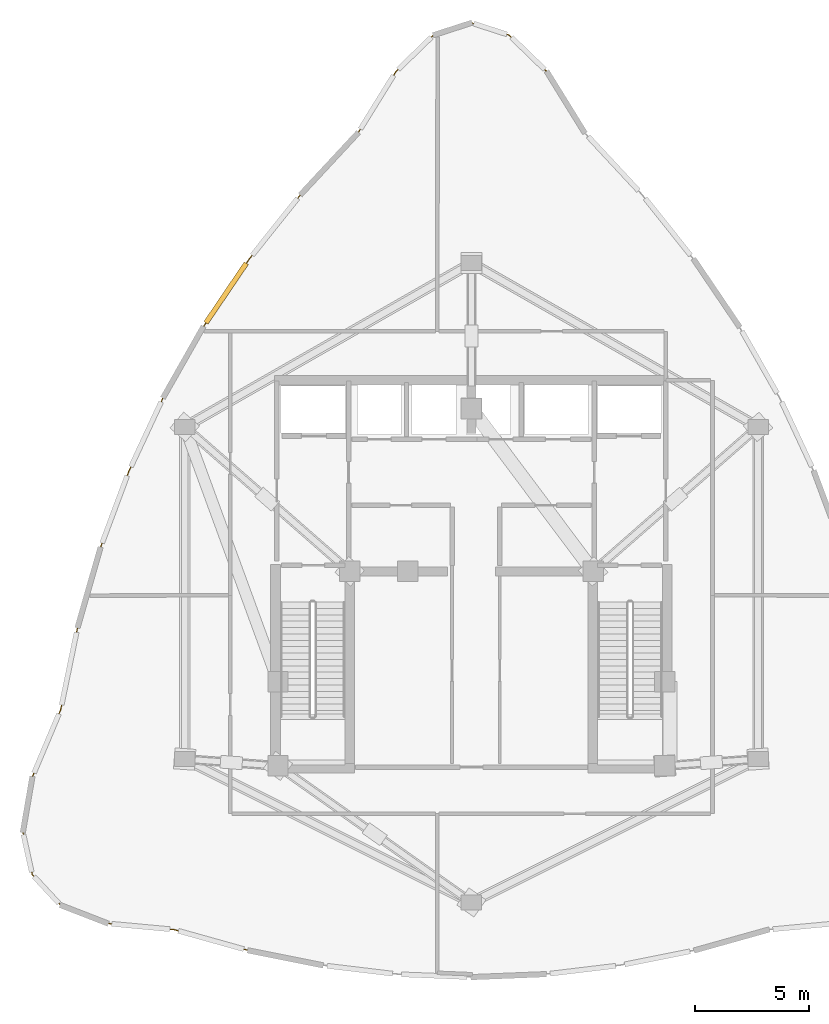
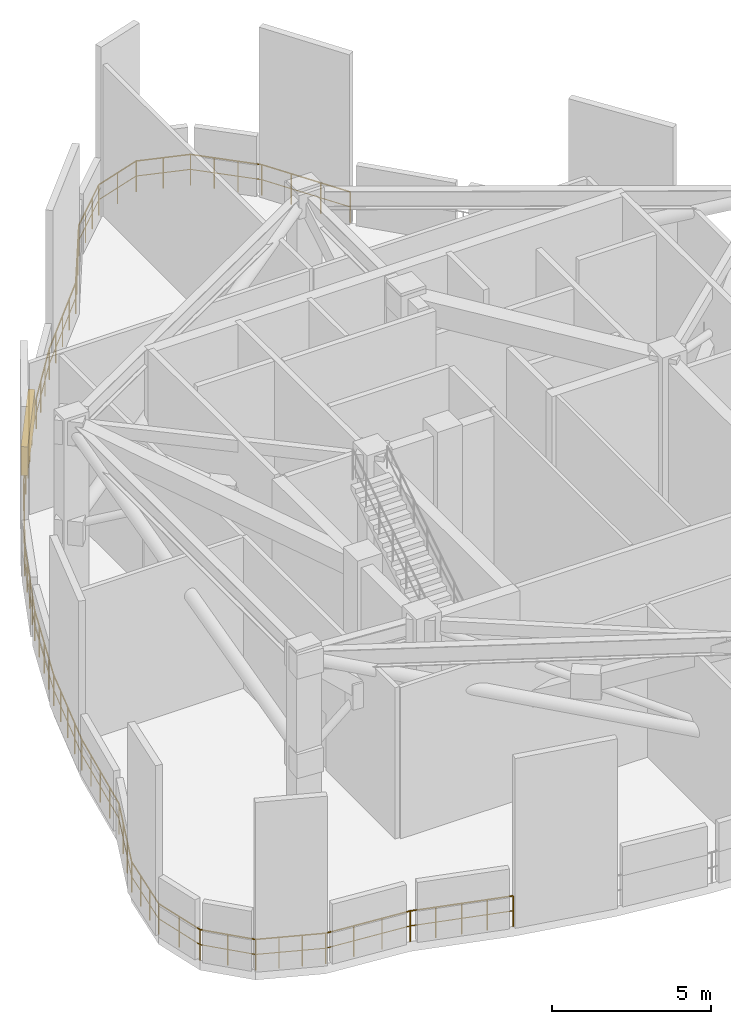
# One storey, part 6 of 8: 1 railing, 1 shading device.
"""IFC4 building model written with IfcOpenShell, lengths in metres."""

import ifcopenshell
import ifcopenshell.guid

model = None  # the IFC model being written
_history = None  # IfcOwnerHistory: only IFC2X3 demands one
_inside = {}  # id of a spatial element -> (the spatial element, [elements in it])
_under = {}  # id of a project, library or spatial element -> (it, [spatial elements below it])
_declared = {}  # id of a project -> (the project, [libraries it declares])
_typed = {}  # id of a type object -> (the type object, [elements of that type])
_made_of = {}  # id of a material, layer set ... -> (it, [elements and type objects made of it])


def new_model(schema):
    """Start an empty IFC model of exactly this schema.

    Asked for "IFC4X3", IfcOpenShell would pick the latest addendum, in which some entities
    have other attributes; the version numbers below select the first issue.
    IFC2X3 requires an IfcOwnerHistory on every rooted entity: one is made here for all.
    """
    global model, _history
    if schema == "IFC4X3":
        model = ifcopenshell.file(schema_version=(4, 3, 0, 0))
    else:
        model = ifcopenshell.file(schema=schema)
    _inside.clear()
    _under.clear()
    _declared.clear()
    _typed.clear()
    _made_of.clear()
    _history = None
    if model.schema == "IFC2X3":
        org = make("IfcOrganization", Name="unknown")
        user = make(
            "IfcPersonAndOrganization",
            ThePerson=make("IfcPerson", FamilyName="unknown"),
            TheOrganization=org,
        )
        app = make(
            "IfcApplication",
            ApplicationDeveloper=org,
            Version="unknown",
            ApplicationFullName="unknown",
            ApplicationIdentifier="unknown",
        )
        _history = make(
            "IfcOwnerHistory",
            OwningUser=user,
            OwningApplication=app,
            ChangeAction="ADDED",
            CreationDate=0,
        )
    return model


def make(cls, **values):
    """One entity of the class cls with the attributes given. An attribute that is None is left unset."""
    return model.create_entity(
        cls, **{name: value for name, value in values.items() if value is not None}
    )


def rooted(cls, **values):
    """An entity with a GlobalId (a new one), such as an element, a storey or a relation."""
    return make(cls, GlobalId=ifcopenshell.guid.new(), OwnerHistory=_history, **values)


def si_unit(unit_type, name, prefix=None):
    """IfcSIUnit, for example si_unit("LENGTHUNIT", "METRE", prefix="MILLI")."""
    return make("IfcSIUnit", UnitType=unit_type, Prefix=prefix, Name=name)


def assignment(units):
    """IfcUnitAssignment: the units of a project."""
    return None if units is None else make("IfcUnitAssignment", Units=units)


def point(xyz):
    """IfcCartesianPoint."""
    return None if xyz is None else make("IfcCartesianPoint", Coordinates=xyz)


def direction(xyz):
    """IfcDirection."""
    return None if xyz is None else make("IfcDirection", DirectionRatios=xyz)


def frame(location, z_axis=None, x_axis=None):
    """IfcAxis2Placement3D, a coordinate frame: its origin and axes. An axis left out is left unset."""
    return make(
        "IfcAxis2Placement3D",
        Location=point(location),
        Axis=direction(z_axis),
        RefDirection=direction(x_axis),
    )


def frame_2d(location, x_axis=None):
    """IfcAxis2Placement2D, a coordinate frame in the plane: its origin and x axis."""
    return make(
        "IfcAxis2Placement2D", Location=point(location), RefDirection=direction(x_axis)
    )


def origin():
    """The frame at (0, 0, 0) with its axes left unset."""
    return frame((0.0, 0.0, 0.0))


def origin_2d():
    """The frame at (0, 0) in the plane with its x axis left unset."""
    return frame_2d((0.0, 0.0))


def place(relative_to, where):
    """IfcLocalPlacement: puts the frame where relative to a parent placement (None: the world)."""
    return make(
        "IfcLocalPlacement", PlacementRelTo=relative_to, RelativePlacement=where
    )


def context(
    kind, dimensions, precision=None, world=None, true_north=None, identifier=None
):
    """IfcGeometricRepresentationContext, for example the 3D "Model" context."""
    return make(
        "IfcGeometricRepresentationContext",
        ContextIdentifier=identifier,
        ContextType=kind,
        CoordinateSpaceDimension=dimensions,
        Precision=precision,
        WorldCoordinateSystem=world,
        TrueNorth=true_north,
    )


def subcontext(parent, identifier, kind, view, scale=None):
    """IfcGeometricRepresentationSubContext, for example "Body" below "Model"."""
    return make(
        "IfcGeometricRepresentationSubContext",
        ContextIdentifier=identifier,
        ContextType=kind,
        ParentContext=parent,
        TargetScale=scale,
        TargetView=view,
    )


def project(units=None, contexts=None):
    """IfcProject with its units and contexts."""
    return rooted(
        "IfcProject",
        Name="project",
        RepresentationContexts=contexts,
        UnitsInContext=assignment(units),
    )


def spatial(cls, under=None, at=None, **own):
    """A site, building, storey or space (cls), placed at a placement, below another one or the project."""
    s = rooted(cls, ObjectPlacement=at, **own)
    if under is not None:
        _under.setdefault(under.id(), (under, []))[1].append(s)
    return s


def profile(cls, at=None, kind="AREA", **sizes):
    """A parametric profile (cls). Its sizes go by their IFC names, for example OverallWidth=200.0."""
    return make(cls, ProfileType=kind, Position=at, **sizes)


def rectangle(**sizes):
    """IfcRectangleProfileDef."""
    return profile("IfcRectangleProfileDef", **sizes)


def circle(**sizes):
    """IfcCircleProfileDef."""
    return profile("IfcCircleProfileDef", **sizes)


def extrude(swept, where, along, depth):
    """IfcExtrudedAreaSolid: the profile swept, set in the frame where, extruded along a direction by depth."""
    return make(
        "IfcExtrudedAreaSolid",
        SweptArea=swept,
        Position=where,
        ExtrudedDirection=direction(along),
        Depth=depth,
    )


def shape(context_of_items, identifier, shape_type, items):
    """IfcShapeRepresentation: the items that make up one representation, for example the "Body"."""
    return make(
        "IfcShapeRepresentation",
        ContextOfItems=context_of_items,
        RepresentationIdentifier=identifier,
        RepresentationType=shape_type,
        Items=items,
    )


def material(Name=None, Category=None):
    """IfcMaterial."""
    return make("IfcMaterial", Name=Name, Category=Category)


def made_of(thing, what):
    """Note that an element or type object is made of a material, layer set ...; save() writes the relation."""
    if what is not None:
        _made_of.setdefault(what.id(), (what, []))[1].append(thing)
    return thing


def type_object(cls, material=None, **own):
    """A type object (cls), such as IfcWallType, which elements share."""
    return made_of(rooted(cls, **own), material)


def element(
    cls,
    number,
    at=None,
    inside=None,
    cuts=None,
    type_object=None,
    material=None,
    context=None,
    identifier="Body",
    shape_type=None,
    held_by="IfcProductDefinitionShape",
    body=None,
    shapes=None,
    **own,
):
    """One element of the class cls, such as IfcWall. Its Tag is "e" and its number.

    at: its placement. inside: the storey or other place that contains it. cuts: it is an
    opening in that element (IfcRelVoidsElement). A single representation is given by context,
    identifier, shape_type and body (its items); several are given by shapes. held_by: the class
    of the entity that holds the representations. save() writes the other relations.
    """
    e = rooted(cls, Tag="e%d" % number, ObjectPlacement=at, **own)
    if body is not None:
        shapes = [shape(context, identifier, shape_type, body)]
    if shapes is not None:
        e.Representation = make(held_by, Representations=shapes)
    if inside is not None:
        _inside.setdefault(inside.id(), (inside, []))[1].append(e)
    if cuts is not None:
        rooted(
            "IfcRelVoidsElement", RelatingBuildingElement=cuts, RelatedOpeningElement=e
        )
    if type_object is not None:
        _typed.setdefault(type_object.id(), (type_object, []))[1].append(e)
    return made_of(e, material)


def aggregate(whole, parts):
    """IfcRelAggregates: a whole, such as a stair, and the parts it consists of."""
    return rooted("IfcRelAggregates", RelatingObject=whole, RelatedObjects=parts)


def save(model, path):
    """Write the relations noted so far, then the file.

    IfcRelAggregates (storeys below a building ...), IfcRelContainedInSpatialStructure (elements
    in a storey), IfcRelDefinesByType, IfcRelAssociatesMaterial and IfcRelDeclares: one each for
    every whole, place, type object, material and project.
    """
    for whole, parts in _under.values():
        aggregate(whole, parts)
    for where, things in _inside.values():
        rooted(
            "IfcRelContainedInSpatialStructure",
            RelatedElements=things,
            RelatingStructure=where,
        )
    for kind, things in _typed.values():
        rooted("IfcRelDefinesByType", RelatedObjects=things, RelatingType=kind)
    for what, things in _made_of.values():
        rooted("IfcRelAssociatesMaterial", RelatedObjects=things, RelatingMaterial=what)
    for by, libraries in _declared.values():
        rooted("IfcRelDeclares", RelatingContext=by, RelatedDefinitions=libraries)
    model.write(path)


model = new_model("IFC4")

# Units and contexts
model_context = context("Model", 3, precision=1e-05, world=origin(), true_north=direction((0.0, 1.0)))
body_context = subcontext(model_context, "Body", "Model", "MODEL_VIEW")
ifc_project = project(units=[si_unit("LENGTHUNIT", "METRE"), si_unit("AREAUNIT", "SQUARE_METRE"), si_unit("VOLUMEUNIT", "CUBIC_METRE"), si_unit("PLANEANGLEUNIT", "RADIAN"), si_unit("MASSUNIT", "GRAM", prefix="KILO")], contexts=[model_context])

# Site, building, storey
site_placement = place(None, origin())
site = spatial("IfcSite", under=ifc_project, at=site_placement, CompositionType="ELEMENT")
building_placement = place(site_placement, origin())
building = spatial("IfcBuilding", under=site, at=building_placement, Name="Miruveldt Soraemaru", CompositionType="ELEMENT")
storey_placement = place(building_placement, frame((0.0, 0.0, 282.800048828125)))
storey = spatial("IfcBuildingStorey", under=building, at=storey_placement, Name="L77", CompositionType="ELEMENT", Elevation=282.800048828125)

# Railing
ifc_material = material(Name="Anodised aluminium EN AW-6063 T6", Category="aluminium")
railing_type = type_object("IfcRailingType", Name="RAIL-GUARD-1200", PredefinedType="GUARDRAIL", material=ifc_material)
railing_placement = place(storey_placement, frame((48.98046875, 63.33056640625, 0.0)))
element("IfcRailing", 1, at=railing_placement, inside=storey, type_object=railing_type, Name="L77 Wind-Turbine Slot Perimeter Guardrail (A)", PredefinedType="GUARDRAIL", context=body_context, shape_type="SweptSolid", body=[
    extrude(circle(Radius=0.02392578125, at=origin_2d()), frame((0.0, 0.0, 1.17578125), z_axis=(-0.52609889762, 0.850423394506, 0.0), x_axis=(-0.850423394506, -0.52609889762, 0.0)), (0.0, 0.0, 1.0), 3.155517578125),
    extrude(circle(Radius=0.01611328125, at=origin_2d()), frame((0.0, 0.0, 0.60009765625), z_axis=(-0.52609889762, 0.850423394506, 0.0), x_axis=(-0.850423394506, -0.52609889762, 0.0)), (0.0, 0.0, 1.0), 3.155517578125),
    extrude(circle(Radius=0.02392578125, at=origin_2d()), frame((-1.66015625, 2.68359375, 1.17578125), z_axis=(-0.717791679854, 0.696257929458, 0.0), x_axis=(-0.696257929458, -0.717791679854, 0.0)), (0.0, 0.0, 1.0), 2.31298828125),
    extrude(circle(Radius=0.01611328125, at=origin_2d()), frame((-1.66015625, 2.68359375, 0.60009765625), z_axis=(-0.717791679854, 0.696257929458, 0.0), x_axis=(-0.696257929458, -0.717791679854, 0.0)), (0.0, 0.0, 1.0), 2.31298828125),
    extrude(circle(Radius=0.02392578125, at=origin_2d()), frame((-3.3203125, 4.2939453125, 1.17578125), z_axis=(-0.951526448732, 0.307566931517, 0.0), x_axis=(-0.307566931517, -0.951526448732, 0.0)), (0.0, 0.0, 1.0), 1.74462890625),
    extrude(circle(Radius=0.01611328125, at=origin_2d()), frame((-3.3203125, 4.2939453125, 0.60009765625), z_axis=(-0.951526448732, 0.307566931517, 0.0), x_axis=(-0.307566931517, -0.951526448732, 0.0)), (0.0, 0.0, 1.0), 1.74462890625),
    extrude(circle(Radius=0.02392578125, at=origin_2d()), frame((-4.98046875, 4.83056640625, 1.17578125), z_axis=(-0.951526448732, -0.307566931517, 0.0), x_axis=(0.307566931517, -0.951526448732, 0.0)), (0.0, 0.0, 1.0), 1.74462890625),
    extrude(circle(Radius=0.01611328125, at=origin_2d()), frame((-4.98046875, 4.83056640625, 0.60009765625), z_axis=(-0.951526448732, -0.307566931517, 0.0), x_axis=(0.307566931517, -0.951526448732, 0.0)), (0.0, 0.0, 1.0), 1.74462890625),
    extrude(circle(Radius=0.02392578125, at=origin_2d()), frame((-6.640625, 4.2939453125, 1.17578125), z_axis=(-0.717791679854, -0.696257929458, 0.0), x_axis=(0.696257929458, -0.717791679854, 0.0)), (0.0, 0.0, 1.0), 2.31298828125),
    extrude(circle(Radius=0.01611328125, at=origin_2d()), frame((-6.640625, 4.2939453125, 0.60009765625), z_axis=(-0.717791679854, -0.696257929458, 0.0), x_axis=(0.696257929458, -0.717791679854, 0.0)), (0.0, 0.0, 1.0), 2.31298828125),
    extrude(circle(Radius=0.02392578125, at=origin_2d()), frame((-8.30078125, 2.68359375, 1.17578125), z_axis=(-0.52609889762, -0.850423394506, 0.0), x_axis=(0.850423394506, -0.52609889762, 0.0)), (0.0, 0.0, 1.0), 3.155517578125),
    extrude(circle(Radius=0.01611328125, at=origin_2d()), frame((-8.30078125, 2.68359375, 0.60009765625), z_axis=(-0.52609889762, -0.850423394506, 0.0), x_axis=(0.850423394506, -0.52609889762, 0.0)), (0.0, 0.0, 1.0), 3.155517578125),
    extrude(circle(Radius=0.02392578125, at=origin_2d()), frame((-9.9609375, 0.0, 1.17578125), z_axis=(-0.680868088703, -0.732406066185, 0.0), x_axis=(0.732406066185, -0.680868088703, 0.0)), (0.0, 0.0, 1.0), 3.704345703125),
    extrude(circle(Radius=0.01611328125, at=origin_2d()), frame((-9.9609375, 0.0, 0.60009765625), z_axis=(-0.680868088703, -0.732406066185, 0.0), x_axis=(0.732406066185, -0.680868088703, 0.0)), (0.0, 0.0, 1.0), 3.704345703125),
    extrude(circle(Radius=0.02392578125, at=origin_2d()), frame((-12.483154296875, -2.713134765625, 1.17578125), z_axis=(-0.623614093893, -0.781732346714, 0.0), x_axis=(0.781732346714, -0.623614093893, 0.0)), (0.0, 0.0, 1.0), 3.6376953125),
    extrude(circle(Radius=0.01611328125, at=origin_2d()), frame((-12.483154296875, -2.713134765625, 0.60009765625), z_axis=(-0.623614093893, -0.781732346714, 0.0), x_axis=(0.781732346714, -0.623614093893, 0.0)), (0.0, 0.0, 1.0), 3.6376953125),
    extrude(circle(Radius=0.02392578125, at=origin_2d()), frame((-14.751708984375, -5.556884765625, 1.17578125), z_axis=(-0.56084814517, -0.827918690488, 0.0), x_axis=(0.827918690488, -0.56084814517, 0.0)), (0.0, 0.0, 1.0), 3.592529296875),
    extrude(circle(Radius=0.01611328125, at=origin_2d()), frame((-14.751708984375, -5.556884765625, 0.60009765625), z_axis=(-0.56084814517, -0.827918690488, 0.0), x_axis=(0.827918690488, -0.56084814517, 0.0)), (0.0, 0.0, 1.0), 3.592529296875),
    extrude(circle(Radius=0.02392578125, at=origin_2d()), frame((-16.7666015625, -8.53125, 1.17578125), z_axis=(-0.493352462232, -0.869829493642, 0.0), x_axis=(0.869829493642, -0.493352462232, 0.0)), (0.0, 0.0, 1.0), 3.56982421875),
    extrude(circle(Radius=0.01611328125, at=origin_2d()), frame((-16.7666015625, -8.53125, 0.60009765625), z_axis=(-0.493352462232, -0.869829493642, 0.0), x_axis=(0.869829493642, -0.493352462232, 0.0)), (0.0, 0.0, 1.0), 3.56982421875),
    extrude(circle(Radius=0.02392578125, at=origin_2d()), frame((-18.52783203125, -11.636474609375, 1.17578125), z_axis=(-0.422286367485, -0.906462477898, 0.0), x_axis=(0.906462477898, -0.422286367485, 0.0)), (0.0, 0.0, 1.0), 3.570068359375),
    extrude(circle(Radius=0.01611328125, at=origin_2d()), frame((-18.52783203125, -11.636474609375, 0.60009765625), z_axis=(-0.422286367485, -0.906462477898, 0.0), x_axis=(0.906462477898, -0.422286367485, 0.0)), (0.0, 0.0, 1.0), 3.570068359375),
    extrude(circle(Radius=0.02392578125, at=origin_2d()), frame((-20.035400390625, -14.87255859375, 1.17578125), z_axis=(-0.349022436182, -0.937114368176, 0.0), x_axis=(0.937114368176, -0.349022436182, 0.0)), (0.0, 0.0, 1.0), 3.592529296875),
    extrude(circle(Radius=0.01611328125, at=origin_2d()), frame((-20.035400390625, -14.87255859375, 0.60009765625), z_axis=(-0.349022436182, -0.937114368176, 0.0), x_axis=(0.937114368176, -0.349022436182, 0.0)), (0.0, 0.0, 1.0), 3.592529296875),
    extrude(circle(Radius=0.02392578125, at=origin_2d()), frame((-21.289306640625, -18.2392578125, 1.17578125), z_axis=(-0.274960445559, -0.96145553895, 0.0), x_axis=(0.96145553895, -0.274960445559, 0.0)), (0.0, 0.0, 1.0), 3.6376953125),
    extrude(circle(Radius=0.01611328125, at=origin_2d()), frame((-21.289306640625, -18.2392578125, 0.60009765625), z_axis=(-0.274960445559, -0.96145553895, 0.0), x_axis=(0.96145553895, -0.274960445559, 0.0)), (0.0, 0.0, 1.0), 3.6376953125),
    extrude(circle(Radius=0.02392578125, at=origin_2d()), frame((-22.28955078125, -21.73681640625, 1.17578125), z_axis=(-0.201613867718, -0.979465082759, 0.0), x_axis=(0.979465082759, -0.201613867718, 0.0)), (0.0, 0.0, 1.0), 3.704345703125),
    extrude(circle(Radius=0.01611328125, at=origin_2d()), frame((-22.28955078125, -21.73681640625, 0.60009765625), z_axis=(-0.201613867718, -0.979465082759, 0.0), x_axis=(0.979465082759, -0.201613867718, 0.0)), (0.0, 0.0, 1.0), 3.704345703125),
    extrude(circle(Radius=0.02392578125, at=origin_2d()), frame((-23.036376953125, -25.364990234375, 1.17578125), z_axis=(-0.388550908653, -0.921427257783, 0.0), x_axis=(0.921427257783, -0.388550908653, 0.0)), (0.0, 0.0, 1.0), 3.203857421875),
    extrude(circle(Radius=0.01611328125, at=origin_2d()), frame((-23.036376953125, -25.364990234375, 0.60009765625), z_axis=(-0.388550908653, -0.921427257783, 0.0), x_axis=(0.921427257783, -0.388550908653, 0.0)), (0.0, 0.0, 1.0), 3.203857421875),
    extrude(circle(Radius=0.02392578125, at=origin_2d()), frame((-24.28125, -28.317138671875, 1.17578125), z_axis=(-0.169436567839, -0.985541094769, 0.0), x_axis=(0.985541094769, -0.169436567839, 0.0)), (0.0, 0.0, 1.0), 2.450927734375),
    extrude(circle(Radius=0.01611328125, at=origin_2d()), frame((-24.28125, -28.317138671875, 0.60009765625), z_axis=(-0.169436567839, -0.985541094769, 0.0), x_axis=(0.985541094769, -0.169436567839, 0.0)), (0.0, 0.0, 1.0), 2.450927734375),
    extrude(circle(Radius=0.02392578125, at=origin_2d()), frame((-24.696533203125, -30.732666015625, 1.17578125), z_axis=(0.215868789912, -0.976422380705, 0.0), x_axis=(0.976422380705, 0.215868789912, 0.0)), (0.0, 0.0, 1.0), 1.923828125),
    extrude(circle(Radius=0.01611328125, at=origin_2d()), frame((-24.696533203125, -30.732666015625, 0.60009765625), z_axis=(0.215868789912, -0.976422380705, 0.0), x_axis=(0.976422380705, 0.215868789912, 0.0)), (0.0, 0.0, 1.0), 1.923828125),
    extrude(circle(Radius=0.02392578125, at=origin_2d()), frame((-24.28125, -32.611083984375, 1.17578125), z_axis=(0.680067331247, -0.733149660691, 0.0), x_axis=(0.733149660691, 0.680067331247, 0.0)), (0.0, 0.0, 1.0), 1.83056640625),
    extrude(circle(Radius=0.01611328125, at=origin_2d()), frame((-24.28125, -32.611083984375, 0.60009765625), z_axis=(0.680067331247, -0.733149660691, 0.0), x_axis=(0.733149660691, 0.680067331247, 0.0)), (0.0, 0.0, 1.0), 1.83056640625),
    extrude(circle(Radius=0.02392578125, at=origin_2d()), frame((-23.036376953125, -33.953125, 1.17578125), z_axis=(0.932321313147, -0.361630984641, 0.0), x_axis=(0.361630984641, 0.932321313147, 0.0)), (0.0, 0.0, 1.0), 2.225830078125),
    extrude(circle(Radius=0.01611328125, at=origin_2d()), frame((-23.036376953125, -33.953125, 0.60009765625), z_axis=(0.932321313147, -0.361630984641, 0.0), x_axis=(0.361630984641, 0.932321313147, 0.0)), (0.0, 0.0, 1.0), 2.225830078125),
    extrude(circle(Radius=0.02392578125, at=origin_2d()), frame((-20.961181640625, -34.758056640625, 1.17578125), z_axis=(0.995754888126, -0.092044569491, 0.0), x_axis=(0.092044569491, 0.995754888126, 0.0)), (0.0, 0.0, 1.0), 2.917724609375),
    extrude(circle(Radius=0.01611328125, at=origin_2d()), frame((-20.961181640625, -34.758056640625, 0.60009765625), z_axis=(0.995754888126, -0.092044569491, 0.0), x_axis=(0.092044569491, 0.995754888126, 0.0)), (0.0, 0.0, 1.0), 2.917724609375),
    extrude(circle(Radius=0.02392578125, at=origin_2d()), frame((-18.055908203125, -35.026611328125, 1.17578125), z_axis=(0.962967056744, -0.269619078748, 0.0), x_axis=(0.269619078748, 0.962967056744, 0.0)), (0.0, 0.0, 1.0), 3.339599609375),
    extrude(circle(Radius=0.01611328125, at=origin_2d()), frame((-18.055908203125, -35.026611328125, 0.60009765625), z_axis=(0.962967056744, -0.269619078748, 0.0), x_axis=(0.269619078748, 0.962967056744, 0.0)), (0.0, 0.0, 1.0), 3.339599609375),
    extrude(circle(Radius=0.02099609375, at=origin_2d()), origin(), (0.0, 0.0, 1.0), 1.15185546875),
    extrude(circle(Radius=0.02099609375, at=origin_2d()), frame((-0.553466796875, 0.89453125, 0.0)), (0.0, 0.0, 1.0), 1.15185546875),
    extrude(circle(Radius=0.02099609375, at=origin_2d()), frame((-1.106689453125, 1.7890625, 0.0)), (0.0, 0.0, 1.0), 1.15185546875),
    extrude(circle(Radius=0.02099609375, at=origin_2d()), frame((-1.66015625, 2.68359375, 0.0)), (0.0, 0.0, 1.0), 1.15185546875),
    extrude(circle(Radius=0.02099609375, at=origin_2d()), frame((-2.213623046875, 3.220458984375, 0.0)), (0.0, 0.0, 1.0), 1.15185546875),
    extrude(circle(Radius=0.02099609375, at=origin_2d()), frame((-2.766845703125, 3.757080078125, 0.0)), (0.0, 0.0, 1.0), 1.15185546875),
    extrude(circle(Radius=0.02099609375, at=origin_2d()), frame((-3.3203125, 4.2939453125, 0.0)), (0.0, 0.0, 1.0), 1.15185546875),
    extrude(circle(Radius=0.02099609375, at=origin_2d()), frame((-4.150390625, 4.562255859375, 0.0)), (0.0, 0.0, 1.0), 1.15185546875),
    extrude(circle(Radius=0.02099609375, at=origin_2d()), frame((-4.98046875, 4.83056640625, 0.0)), (0.0, 0.0, 1.0), 1.15185546875),
    extrude(circle(Radius=0.02099609375, at=origin_2d()), frame((-5.810546875, 4.562255859375, 0.0)), (0.0, 0.0, 1.0), 1.15185546875),
    extrude(circle(Radius=0.02099609375, at=origin_2d()), frame((-6.640625, 4.2939453125, 0.0)), (0.0, 0.0, 1.0), 1.15185546875),
    extrude(circle(Radius=0.02099609375, at=origin_2d()), frame((-7.194091796875, 3.757080078125, 0.0)), (0.0, 0.0, 1.0), 1.15185546875),
    extrude(circle(Radius=0.02099609375, at=origin_2d()), frame((-7.747314453125, 3.220458984375, 0.0)), (0.0, 0.0, 1.0), 1.15185546875),
    extrude(circle(Radius=0.02099609375, at=origin_2d()), frame((-8.30078125, 2.68359375, 0.0)), (0.0, 0.0, 1.0), 1.15185546875),
    extrude(circle(Radius=0.02099609375, at=origin_2d()), frame((-8.854248046875, 1.7890625, 0.0)), (0.0, 0.0, 1.0), 1.15185546875),
    extrude(circle(Radius=0.02099609375, at=origin_2d()), frame((-9.407470703125, 0.89453125, 0.0)), (0.0, 0.0, 1.0), 1.15185546875),
    extrude(circle(Radius=0.02099609375, at=origin_2d()), frame((-9.9609375, 0.0, 0.0)), (0.0, 0.0, 1.0), 1.15185546875),
    extrude(circle(Radius=0.02099609375, at=origin_2d()), frame((-10.591552734375, -0.67822265625, 0.0)), (0.0, 0.0, 1.0), 1.15185546875),
    extrude(circle(Radius=0.02099609375, at=origin_2d()), frame((-11.22216796875, -1.3564453125, 0.0)), (0.0, 0.0, 1.0), 1.15185546875),
    extrude(circle(Radius=0.02099609375, at=origin_2d()), frame((-11.8525390625, -2.034912109375, 0.0)), (0.0, 0.0, 1.0), 1.15185546875),
    extrude(circle(Radius=0.02099609375, at=origin_2d()), frame((-12.483154296875, -2.713134765625, 0.0)), (0.0, 0.0, 1.0), 1.15185546875),
    extrude(circle(Radius=0.02099609375, at=origin_2d()), frame((-13.05029296875, -3.424072265625, 0.0)), (0.0, 0.0, 1.0), 1.15185546875),
    extrude(circle(Radius=0.02099609375, at=origin_2d()), frame((-13.617431640625, -4.135009765625, 0.0)), (0.0, 0.0, 1.0), 1.15185546875),
    extrude(circle(Radius=0.02099609375, at=origin_2d()), frame((-14.1845703125, -4.845947265625, 0.0)), (0.0, 0.0, 1.0), 1.15185546875),
    extrude(circle(Radius=0.02099609375, at=origin_2d()), frame((-14.751708984375, -5.556884765625, 0.0)), (0.0, 0.0, 1.0), 1.15185546875),
    extrude(circle(Radius=0.02099609375, at=origin_2d()), frame((-15.25537109375, -6.300537109375, 0.0)), (0.0, 0.0, 1.0), 1.15185546875),
    extrude(circle(Radius=0.02099609375, at=origin_2d()), frame((-15.75927734375, -7.0439453125, 0.0)), (0.0, 0.0, 1.0), 1.15185546875),
    extrude(circle(Radius=0.02099609375, at=origin_2d()), frame((-16.262939453125, -7.78759765625, 0.0)), (0.0, 0.0, 1.0), 1.15185546875),
    extrude(circle(Radius=0.02099609375, at=origin_2d()), frame((-16.7666015625, -8.53125, 0.0)), (0.0, 0.0, 1.0), 1.15185546875),
    extrude(circle(Radius=0.02099609375, at=origin_2d()), frame((-17.20703125, -9.3076171875, 0.0)), (0.0, 0.0, 1.0), 1.15185546875),
    extrude(circle(Radius=0.02099609375, at=origin_2d()), frame((-17.647216796875, -10.083984375, 0.0)), (0.0, 0.0, 1.0), 1.15185546875),
    extrude(circle(Radius=0.02099609375, at=origin_2d()), frame((-18.08740234375, -10.860107421875, 0.0)), (0.0, 0.0, 1.0), 1.15185546875),
    extrude(circle(Radius=0.02099609375, at=origin_2d()), frame((-18.52783203125, -11.636474609375, 0.0)), (0.0, 0.0, 1.0), 1.15185546875),
    extrude(circle(Radius=0.02099609375, at=origin_2d()), frame((-18.90478515625, -12.445556640625, 0.0)), (0.0, 0.0, 1.0), 1.15185546875),
    extrude(circle(Radius=0.02099609375, at=origin_2d()), frame((-19.28173828125, -13.25439453125, 0.0)), (0.0, 0.0, 1.0), 1.15185546875),
    extrude(circle(Radius=0.02099609375, at=origin_2d()), frame((-19.658447265625, -14.0634765625, 0.0)), (0.0, 0.0, 1.0), 1.15185546875),
    extrude(circle(Radius=0.02099609375, at=origin_2d()), frame((-20.035400390625, -14.87255859375, 0.0)), (0.0, 0.0, 1.0), 1.15185546875),
    extrude(circle(Radius=0.02099609375, at=origin_2d()), frame((-20.348876953125, -15.71435546875, 0.0)), (0.0, 0.0, 1.0), 1.15185546875),
    extrude(circle(Radius=0.02099609375, at=origin_2d()), frame((-20.662353515625, -16.555908203125, 0.0)), (0.0, 0.0, 1.0), 1.15185546875),
    extrude(circle(Radius=0.02099609375, at=origin_2d()), frame((-20.975830078125, -17.3974609375, 0.0)), (0.0, 0.0, 1.0), 1.15185546875),
    extrude(circle(Radius=0.02099609375, at=origin_2d()), frame((-21.289306640625, -18.2392578125, 0.0)), (0.0, 0.0, 1.0), 1.15185546875),
    extrude(circle(Radius=0.02099609375, at=origin_2d()), frame((-21.539306640625, -19.11376953125, 0.0)), (0.0, 0.0, 1.0), 1.15185546875),
    extrude(circle(Radius=0.02099609375, at=origin_2d()), frame((-21.78955078125, -19.988037109375, 0.0)), (0.0, 0.0, 1.0), 1.15185546875),
    extrude(circle(Radius=0.02099609375, at=origin_2d()), frame((-22.03955078125, -20.8623046875, 0.0)), (0.0, 0.0, 1.0), 1.15185546875),
    extrude(circle(Radius=0.02099609375, at=origin_2d()), frame((-22.28955078125, -21.73681640625, 0.0)), (0.0, 0.0, 1.0), 1.15185546875),
    extrude(circle(Radius=0.02099609375, at=origin_2d()), frame((-22.476318359375, -22.643798828125, 0.0)), (0.0, 0.0, 1.0), 1.15185546875),
    extrude(circle(Radius=0.02099609375, at=origin_2d()), frame((-22.6630859375, -23.55078125, 0.0)), (0.0, 0.0, 1.0), 1.15185546875),
    extrude(circle(Radius=0.02099609375, at=origin_2d()), frame((-22.849609375, -24.4580078125, 0.0)), (0.0, 0.0, 1.0), 1.15185546875),
    extrude(circle(Radius=0.02099609375, at=origin_2d()), frame((-23.036376953125, -25.364990234375, 0.0)), (0.0, 0.0, 1.0), 1.15185546875),
    extrude(circle(Radius=0.02099609375, at=origin_2d()), frame((-23.451416015625, -26.34912109375, 0.0)), (0.0, 0.0, 1.0), 1.15185546875),
    extrude(circle(Radius=0.02099609375, at=origin_2d()), frame((-23.8662109375, -27.3330078125, 0.0)), (0.0, 0.0, 1.0), 1.15185546875),
    extrude(circle(Radius=0.02099609375, at=origin_2d()), frame((-24.28125, -28.317138671875, 0.0)), (0.0, 0.0, 1.0), 1.15185546875),
    extrude(circle(Radius=0.02099609375, at=origin_2d()), frame((-24.419677734375, -29.122314453125, 0.0)), (0.0, 0.0, 1.0), 1.15185546875),
    extrude(circle(Radius=0.02099609375, at=origin_2d()), frame((-24.55810546875, -29.927490234375, 0.0)), (0.0, 0.0, 1.0), 1.15185546875),
    extrude(circle(Radius=0.02099609375, at=origin_2d()), frame((-24.696533203125, -30.732666015625, 0.0)), (0.0, 0.0, 1.0), 1.15185546875),
    extrude(circle(Radius=0.02099609375, at=origin_2d()), frame((-24.48876953125, -31.671875, 0.0)), (0.0, 0.0, 1.0), 1.15185546875),
    extrude(circle(Radius=0.02099609375, at=origin_2d()), frame((-24.28125, -32.611083984375, 0.0)), (0.0, 0.0, 1.0), 1.15185546875),
    extrude(circle(Radius=0.02099609375, at=origin_2d()), frame((-23.65869140625, -33.2822265625, 0.0)), (0.0, 0.0, 1.0), 1.15185546875),
    extrude(circle(Radius=0.02099609375, at=origin_2d()), frame((-23.036376953125, -33.953125, 0.0)), (0.0, 0.0, 1.0), 1.15185546875),
    extrude(circle(Radius=0.02099609375, at=origin_2d()), frame((-22.3447265625, -34.221435546875, 0.0)), (0.0, 0.0, 1.0), 1.15185546875),
    extrude(circle(Radius=0.02099609375, at=origin_2d()), frame((-21.65283203125, -34.48974609375, 0.0)), (0.0, 0.0, 1.0), 1.15185546875),
    extrude(circle(Radius=0.02099609375, at=origin_2d()), frame((-20.961181640625, -34.758056640625, 0.0)), (0.0, 0.0, 1.0), 1.15185546875),
    extrude(circle(Radius=0.02099609375, at=origin_2d()), frame((-19.99267578125, -34.84765625, 0.0)), (0.0, 0.0, 1.0), 1.15185546875),
    extrude(circle(Radius=0.02099609375, at=origin_2d()), frame((-19.0244140625, -34.93701171875, 0.0)), (0.0, 0.0, 1.0), 1.15185546875),
    extrude(circle(Radius=0.02099609375, at=origin_2d()), frame((-18.055908203125, -35.026611328125, 0.0)), (0.0, 0.0, 1.0), 1.15185546875),
    extrude(circle(Radius=0.02099609375, at=origin_2d()), frame((-17.251953125, -35.251708984375, 0.0)), (0.0, 0.0, 1.0), 1.15185546875),
    extrude(circle(Radius=0.02099609375, at=origin_2d()), frame((-16.447998046875, -35.476806640625, 0.0)), (0.0, 0.0, 1.0), 1.15185546875),
    extrude(circle(Radius=0.02099609375, at=origin_2d()), frame((-15.64404296875, -35.701904296875, 0.0)), (0.0, 0.0, 1.0), 1.15185546875),
    extrude(circle(Radius=0.02099609375, at=origin_2d()), frame((-14.840087890625, -35.927001953125, 0.0)), (0.0, 0.0, 1.0), 1.15185546875),
])

# Shading device
shading_device_type = type_object("IfcShadingDeviceType", Name="SHD-LOUVRE-JAL", PredefinedType="JALOUSIE", material=ifc_material)
shading_device_placement = place(storey_placement, frame((33.221435546875, 56.28662109375, 1.199951171875), z_axis=(0.0, 0.0, 1.0), x_axis=(-0.560826861061, -0.827933108356, 0.0)))
element("IfcShadingDevice", 2, at=shading_device_placement, inside=storey, type_object=shading_device_type, Name="L77 Aerodynamic Intake Louvre 9", PredefinedType="JALOUSIE", context=body_context, shape_type="SweptSolid", body=[
    extrude(rectangle(XDim=3.16162109375, YDim=0.219970703125, at=origin_2d()), origin(), (0.0, 0.0, 1.0), 1.10009765625),
])

save(model, "model.ifc")
